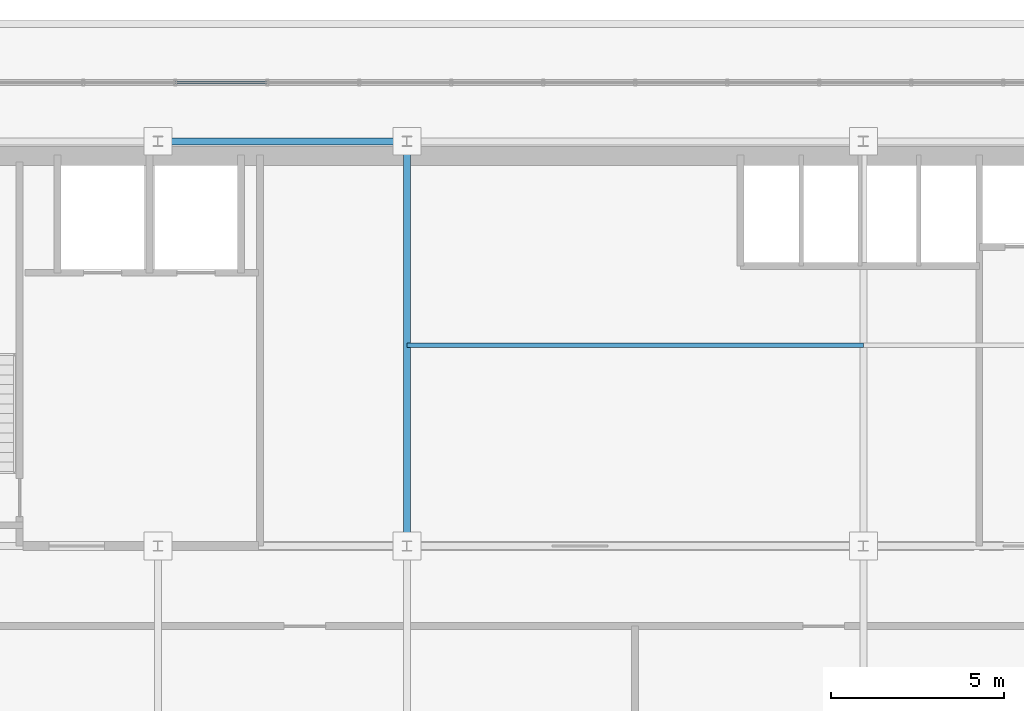
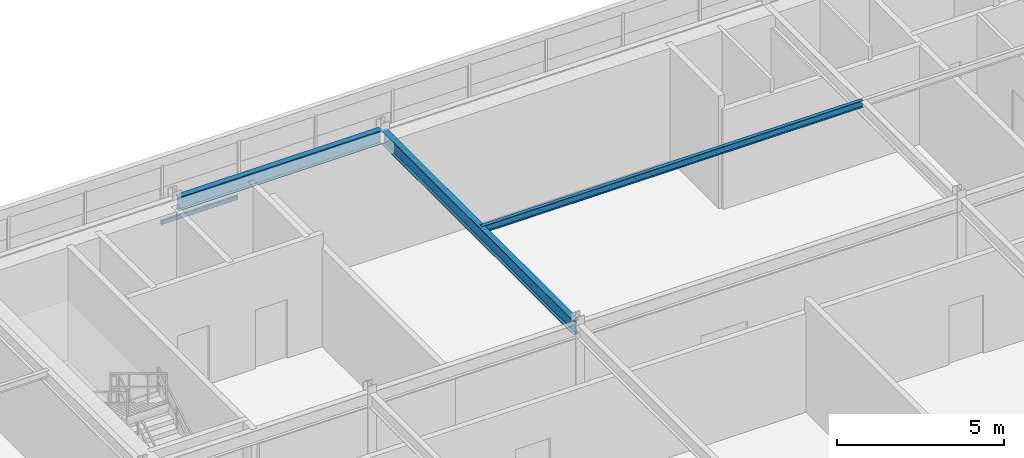
# One storey, part 19 of 38: 2 beams, 2 members, 1 element without a shape of its own.
"""IFC4 building model written with IfcOpenShell, lengths in metres."""

from ifc_helpers import new_model, si_unit, direction, frame, origin, origin_2d, place, context, subcontext, project, spatial, hollow_rectangle, i_section, extrude, source, transform, mapped, material, material_profile, profile_set, type_object, element, aggregate, save


model = new_model("IFC4")

# Units and contexts
model_context = context("Model", 3, precision=1e-05, world=origin(), true_north=direction((0.0, 1.0)))
body_context = subcontext(model_context, "Body", "Model", "MODEL_VIEW")
ifc_project = project(units=[si_unit("LENGTHUNIT", "METRE"), si_unit("AREAUNIT", "SQUARE_METRE"), si_unit("VOLUMEUNIT", "CUBIC_METRE"), si_unit("PLANEANGLEUNIT", "RADIAN"), si_unit("MASSUNIT", "GRAM", prefix="KILO")], contexts=[model_context])

# Site, building, storey
site_placement = place(None, origin())
site = spatial("IfcSite", under=ifc_project, at=site_placement, CompositionType="ELEMENT")
building_placement = place(site_placement, origin())
building = spatial("IfcBuilding", under=site, at=building_placement, Name="Trelvane Seafront Commons", CompositionType="ELEMENT")
storey_placement = place(building_placement, frame((0.0, 0.0, 299.10009765625)))
storey = spatial("IfcBuildingStorey", under=building, at=storey_placement, Name="L78", CompositionType="ELEMENT", Elevation=299.10009765625)

# Beams
ifc_material_1 = material(Name="Steel SM355 (S355)", Category="steel")
ifc_material_profile_1 = material_profile(ifc_material_1, i_section(OverallWidth=0.199951171875, OverallDepth=0.5, WebThickness=0.010009765625, FlangeThickness=0.01611328125, at=origin_2d()), Name="H-500x200x10x16")
ifc_profile_set_1 = profile_set([ifc_material_profile_1], Name="Steel SM355 (S355)")
beam_type_1 = type_object("IfcBeamType", Name="STR-CROWN-FRAME-RING", PredefinedType="SPANDREL", material=ifc_profile_set_1)
shared_shape_1 = source(origin(), body_context, "Body", "SweptSolid", [
    extrude(i_section(OverallWidth=0.199951171875, OverallDepth=0.5, WebThickness=0.010009765625, FlangeThickness=0.01611328125, at=origin_2d()), origin(), (0.0, 0.0, 1.0), 7.0498046875),
])
beam_1_placement = place(storey_placement, frame((23.47509765625, 45.10009765625, 3.869873046875), z_axis=(1.0, 0.0, 0.0), x_axis=(0.0, 1.0, 0.0)))
element("IfcBeam", 1, at=beam_1_placement, inside=storey, type_object=beam_type_1, Name="L78 CROWN FRAME Ring Beam G-17", PredefinedType="SPANDREL", context=body_context, shape_type="MappedRepresentation", body=[
    mapped(shared_shape_1, transform((0.0, 0.0, 0.0), x_axis=(1.0, 0.0, 0.0), y_axis=(0.0, 1.0, 0.0), z_axis=(0.0, 0.0, 1.0), scale=1.0)),
])
ifc_material_profile_2 = material_profile(ifc_material_1, i_section(OverallWidth=0.199951171875, OverallDepth=0.5, WebThickness=0.010009765625, FlangeThickness=0.01611328125, at=origin_2d()), Name="H-500x200x10x16")
ifc_profile_set_2 = profile_set([ifc_material_profile_2], Name="Steel SM355 (S355)")
beam_type_2 = type_object("IfcBeamType", Name="STR-BM-H500", PredefinedType="BEAM", material=ifc_profile_set_2)
shared_shape_2 = source(origin(), body_context, "Body", "SweptSolid", [
    extrude(i_section(OverallWidth=0.199951171875, OverallDepth=0.5, WebThickness=0.010009765625, FlangeThickness=0.01611328125, at=origin_2d()), origin(), (0.0, 0.0, 1.0), 11.5498046875),
])
beam_2_placement = place(storey_placement, frame((30.60009765625, 33.47509765625, 3.869873046875), z_axis=(0.0, 1.0, 0.0), x_axis=(-1.0, 0.0, 0.0)))
element("IfcBeam", 2, at=beam_2_placement, inside=storey, type_object=beam_type_2, Name="L78 Primary Girder G-29", PredefinedType="BEAM", context=body_context, shape_type="MappedRepresentation", body=[
    mapped(shared_shape_2, transform((0.0, 0.0, 0.0), x_axis=(1.0, 0.0, 0.0), y_axis=(0.0, 1.0, 0.0), z_axis=(0.0, 0.0, 1.0), scale=1.0)),
])

# Member
ifc_material_profile_3 = material_profile(ifc_material_1, i_section(OverallWidth=0.125, OverallDepth=0.25, WebThickness=0.006103515625, FlangeThickness=0.009033203125, at=origin_2d()), Name="H-250x125x6x9")
ifc_profile_set_3 = profile_set([ifc_material_profile_3], Name="Steel SM355 (S355)")
member_type_1 = type_object("IfcMemberType", Name="STR-PUR-H250", PredefinedType="PURLIN", material=ifc_profile_set_3)
shared_shape_3 = source(origin(), body_context, "Body", "SweptSolid", [
    extrude(i_section(OverallWidth=0.125, OverallDepth=0.25, WebThickness=0.006103515625, FlangeThickness=0.009033203125, at=origin_2d()), origin(), (0.0, 0.0, 1.0), 13.199951171875),
])
member_1_placement = place(storey_placement, frame((30.60009765625, 39.199951171875, 3.994873046875), z_axis=(1.0, 0.0, 0.0), x_axis=(0.0, 1.0, 0.0)))
element("IfcMember", 3, at=member_1_placement, inside=storey, type_object=member_type_1, Name="L78 Crown Roof Purlin PR-2", PredefinedType="PURLIN", context=body_context, shape_type="MappedRepresentation", body=[
    mapped(shared_shape_3, transform((0.0, 0.0, 0.0), x_axis=(1.0, 0.0, 0.0), y_axis=(0.0, 1.0, 0.0), z_axis=(0.0, 0.0, 1.0), scale=1.0)),
])

# Curtain wall, member
ifc_material_2 = material(Name="Anodised pale-silver aluminium", Category="aluminium")
curtain_wall_type = type_object("IfcCurtainWallType", Name="ARCH-CW6-CROWN", PredefinedType="NOTDEFINED", material=ifc_material_2)
curtain_wall_placement = place(storey_placement, origin())
curtain_wall = element("IfcCurtainWall", 4, at=curtain_wall_placement, inside=storey, type_object=curtain_wall_type, Name="CW-L78-0125", PredefinedType="NOTDEFINED")
ifc_material_profile_4 = material_profile(ifc_material_2, hollow_rectangle(XDim=0.074951171875, YDim=0.139892578125, WallThickness=0.00390625, at=origin_2d()), Name="TRAN-75x140x4")
ifc_profile_set_4 = profile_set([ifc_material_profile_4], Name="Anodised pale-silver aluminium")
member_type_2 = type_object("IfcMemberType", Name="ARCH-CW-TRAN-140", PredefinedType="USERDEFINED", material=ifc_profile_set_4)
shared_shape_4 = source(origin(), body_context, "Body", "SweptSolid", [
    extrude(hollow_rectangle(XDim=0.074951171875, YDim=0.139892578125, WallThickness=0.00390625, at=origin_2d()), origin(), (0.0, 0.0, 1.0), 2.635986328125),
])
member_2_placement = place(storey_placement, frame((23.912109375, 46.800048828125, 1.977783203125), z_axis=(1.0, 0.0, 0.0), x_axis=(0.0, 1.0, 0.0)))
member_2 = element("IfcMember", 5, at=member_2_placement, type_object=member_type_2, Name="CW-L78-0125-T05", ObjectType="TRANSOM", PredefinedType="USERDEFINED", context=body_context, shape_type="MappedRepresentation", body=[
    mapped(shared_shape_4, transform((0.0, 0.0, 0.0), x_axis=(1.0, 0.0, 0.0), y_axis=(0.0, 1.0, 0.0), z_axis=(0.0, 0.0, 1.0), scale=1.0)),
])
aggregate(curtain_wall, [member_2])

save(model, "model.ifc")
